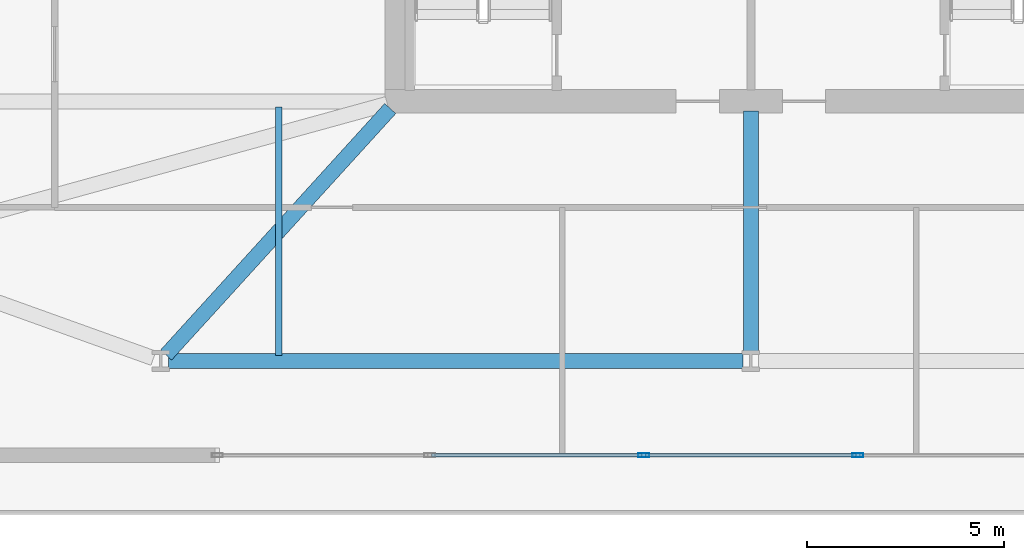
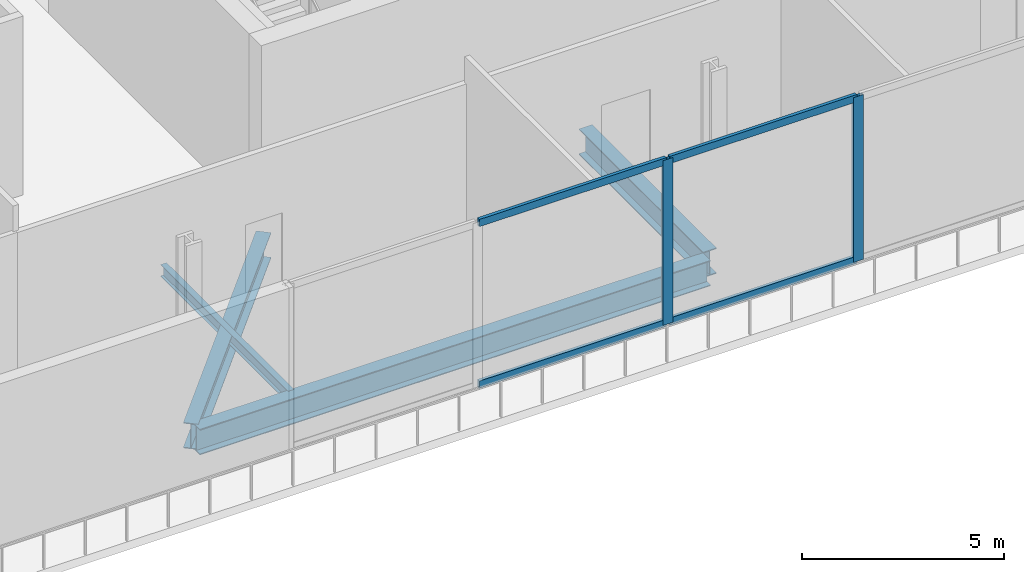
# One storey, part 3 of 16: 6 members, 4 beams, 1 element without a shape of its own.
"""IFC4 building model written with IfcOpenShell, lengths in metres."""

from ifc_helpers import new_model, si_unit, direction, frame, origin, origin_2d, place, context, subcontext, project, spatial, hollow_rectangle, i_section, extrude, material, material_profile, profile_set, type_object, element, aggregate, save


model = new_model("IFC4")

# Units and contexts
model_context = context("Model", 3, precision=1e-05, world=origin(), true_north=direction((0.0, 1.0)))
body_context = subcontext(model_context, "Body", "Model", "MODEL_VIEW")
ifc_project = project(units=[si_unit("LENGTHUNIT", "METRE"), si_unit("AREAUNIT", "SQUARE_METRE"), si_unit("VOLUMEUNIT", "CUBIC_METRE"), si_unit("PLANEANGLEUNIT", "RADIAN"), si_unit("MASSUNIT", "GRAM", prefix="KILO")], contexts=[model_context])

# Site, building, storey
site_placement = place(None, origin())
site = spatial("IfcSite", under=ifc_project, at=site_placement, CompositionType="ELEMENT")
building_placement = place(site_placement, origin())
building = spatial("IfcBuilding", under=site, at=building_placement, Name="Haldenkirk Collegiate Tower", CompositionType="ELEMENT")
storey_placement = place(building_placement, frame((0.0, 0.0, 16.800048828125)))
storey = spatial("IfcBuildingStorey", under=building, at=storey_placement, Name="L03", CompositionType="ELEMENT", Elevation=16.800048828125)

# Beams
ifc_material_1 = material(Name="Steel ASTM A992 Grade 50", Category="steel")
ifc_material_profile_1 = material_profile(ifc_material_1, i_section(OverallWidth=0.381103515625, OverallDepth=0.77294921875, WebThickness=0.0166015625, FlangeThickness=0.027099609375, at=origin_2d()), Name="W30X173")
ifc_profile_set_1 = profile_set([ifc_material_profile_1], Name="Steel ASTM A992 Grade 50")
beam_type_1 = type_object("IfcBeamType", Name="BM-GIRDER-W30X173", PredefinedType="BEAM", material=ifc_profile_set_1)
beam_1_placement = place(storey_placement, frame((21.199951171875, 11.39990234375, -0.716552734375), z_axis=(1.0, 0.0, 0.0), x_axis=(0.0, 1.0, 0.0)))
element("IfcBeam", 1, at=beam_1_placement, inside=storey, type_object=beam_type_1, Name="L03 podium ring girder 02", PredefinedType="BEAM", context=body_context, shape_type="SweptSolid", body=[
    extrude(i_section(OverallWidth=0.381103515625, OverallDepth=0.77294921875, WebThickness=0.0166015625, FlangeThickness=0.027099609375, at=origin_2d()), origin(), (0.0, 0.0, 1.0), 14.60009765625),
])
beam_2_placement = place(storey_placement, frame((36.0, 11.60009765625, -0.716552734375), z_axis=(0.0, 1.0, 0.0), x_axis=(-1.0, 0.0, 0.0)))
element("IfcBeam", 2, at=beam_2_placement, inside=storey, type_object=beam_type_1, Name="L03 podium radial girder 05", PredefinedType="BEAM", context=body_context, shape_type="SweptSolid", body=[
    extrude(i_section(OverallWidth=0.381103515625, OverallDepth=0.77294921875, WebThickness=0.0166015625, FlangeThickness=0.027099609375, at=origin_2d()), origin(), (0.0, 0.0, 1.0), 6.14990234375),
])
beam_3_placement = place(storey_placement, frame((21.134521484375, 11.548095703125, -0.716552734375), z_axis=(0.672681402593, 0.739932247307, 0.0), x_axis=(-0.739932247307, 0.672681402593, 0.0)))
element("IfcBeam", 3, at=beam_3_placement, inside=storey, type_object=beam_type_1, Name="L03 podium radial girder 07", PredefinedType="BEAM", context=body_context, shape_type="SweptSolid", body=[
    extrude(i_section(OverallWidth=0.381103515625, OverallDepth=0.77294921875, WebThickness=0.0166015625, FlangeThickness=0.027099609375, at=origin_2d()), origin(), (0.0, 0.0, 1.0), 8.469482421875),
])
ifc_material_profile_2 = material_profile(ifc_material_1, i_section(OverallWidth=0.1708984375, OverallDepth=0.35595703125, WebThickness=0.007080078125, FlangeThickness=0.01171875, at=origin_2d()), Name="W14X34")
ifc_profile_set_2 = profile_set([ifc_material_profile_2], Name="Steel ASTM A992 Grade 50")
beam_type_2 = type_object("IfcBeamType", Name="BM-JOIST-W14X34", PredefinedType="JOIST", material=ifc_profile_set_2)
beam_4_placement = place(storey_placement, frame((24.0, 11.5400390625, -0.508056640625), z_axis=(0.0, 1.0, 0.0), x_axis=(-1.0, 0.0, 0.0)))
element("IfcBeam", 4, at=beam_4_placement, inside=storey, type_object=beam_type_2, Name="L03 south bay floor joist 1", PredefinedType="JOIST", context=body_context, shape_type="SweptSolid", body=[
    extrude(i_section(OverallWidth=0.1708984375, OverallDepth=0.35595703125, WebThickness=0.007080078125, FlangeThickness=0.01171875, at=origin_2d()), origin(), (0.0, 0.0, 1.0), 6.320068359375),
])

# Curtain wall, members
ifc_material_2 = material(Name="Anodised architectural bronze aluminium", Category="aluminium")
curtain_wall_type = type_object("IfcCurtainWallType", Name="CW-SYS3-PODIUM", PredefinedType="USERDEFINED", material=ifc_material_2)
curtain_wall_placement = place(storey_placement, origin())
curtain_wall = element("IfcCurtainWall", 5, at=curtain_wall_placement, inside=storey, type_object=curtain_wall_type, Name="L03 Podium campus concourse and library storefront curtain wall", ObjectType="UNITISED CURTAIN WALL", PredefinedType="USERDEFINED")
ifc_material_profile_3 = material_profile(ifc_material_2, hollow_rectangle(XDim=0.094970703125, YDim=0.280029296875, WallThickness=0.0048828125, at=origin_2d()), Name="CW-MUL-03")
ifc_profile_set_3 = profile_set([ifc_material_profile_3], Name="Anodised architectural bronze aluminium")
member_type_1 = type_object("IfcMemberType", Name="CW-MUL-03", PredefinedType="MULLION", material=ifc_profile_set_3)
member_1_placement = place(storey_placement, frame((38.7216796875, 9.0, 0.0), z_axis=(0.0, 0.0, 1.0), x_axis=(0.0, -1.0, 0.0)))
member_1 = element("IfcMember", 6, at=member_1_placement, type_object=member_type_1, Name="CW-03 mullion 3", PredefinedType="MULLION", context=body_context, shape_type="SweptSolid", body=[
    extrude(hollow_rectangle(XDim=0.094970703125, YDim=0.280029296875, WallThickness=0.0048828125, at=origin_2d()), origin(), (0.0, 0.0, 1.0), 4.97998046875),
])
member_2_placement = place(storey_placement, frame((33.2783203125, 9.0, 0.0), z_axis=(0.0, 0.0, 1.0), x_axis=(0.0, -1.0, 0.0)))
member_2 = element("IfcMember", 7, at=member_2_placement, type_object=member_type_1, Name="CW-03 mullion 4", PredefinedType="MULLION", context=body_context, shape_type="SweptSolid", body=[
    extrude(hollow_rectangle(XDim=0.094970703125, YDim=0.280029296875, WallThickness=0.0048828125, at=origin_2d()), origin(), (0.0, 0.0, 1.0), 4.97998046875),
])
ifc_material_profile_4 = material_profile(ifc_material_2, hollow_rectangle(XDim=0.094970703125, YDim=0.219970703125, WallThickness=0.0048828125, at=origin_2d()), Name="CW-TRN-03")
ifc_profile_set_4 = profile_set([ifc_material_profile_4], Name="Anodised architectural bronze aluminium")
member_type_2 = type_object("IfcMemberType", Name="CW-TRN-03", PredefinedType="USERDEFINED", material=ifc_profile_set_4)
member_3_placement = place(storey_placement, frame((38.674072265625, 9.0, 0.04736328125), z_axis=(-1.0, 0.0, 0.0), x_axis=(0.0, -1.0, 0.0)))
member_3 = element("IfcMember", 8, at=member_3_placement, type_object=member_type_2, Name="CW-03 transom 3.1", ObjectType="TRANSOM", PredefinedType="USERDEFINED", context=body_context, shape_type="SweptSolid", body=[
    extrude(hollow_rectangle(XDim=0.094970703125, YDim=0.219970703125, WallThickness=0.0048828125, at=origin_2d()), origin(), (0.0, 0.0, 1.0), 5.34814453125),
])
member_4_placement = place(storey_placement, frame((38.674072265625, 9.0, 4.932373046875), z_axis=(-1.0, 0.0, 0.0), x_axis=(0.0, -1.0, 0.0)))
member_4 = element("IfcMember", 9, at=member_4_placement, type_object=member_type_2, Name="CW-03 transom 3.2", ObjectType="TRANSOM", PredefinedType="USERDEFINED", context=body_context, shape_type="SweptSolid", body=[
    extrude(hollow_rectangle(XDim=0.094970703125, YDim=0.219970703125, WallThickness=0.0048828125, at=origin_2d()), origin(), (0.0, 0.0, 1.0), 5.34814453125),
])
member_5_placement = place(storey_placement, frame((33.23095703125, 9.0, 0.04736328125), z_axis=(-1.0, 0.0, 0.0), x_axis=(0.0, -1.0, 0.0)))
member_5 = element("IfcMember", 10, at=member_5_placement, type_object=member_type_2, Name="CW-03 transom 4.1", ObjectType="TRANSOM", PredefinedType="USERDEFINED", context=body_context, shape_type="SweptSolid", body=[
    extrude(hollow_rectangle(XDim=0.094970703125, YDim=0.219970703125, WallThickness=0.0048828125, at=origin_2d()), origin(), (0.0, 0.0, 1.0), 5.34814453125),
])
member_6_placement = place(storey_placement, frame((33.23095703125, 9.0, 4.932373046875), z_axis=(-1.0, 0.0, 0.0), x_axis=(0.0, -1.0, 0.0)))
member_6 = element("IfcMember", 11, at=member_6_placement, type_object=member_type_2, Name="CW-03 transom 4.2", ObjectType="TRANSOM", PredefinedType="USERDEFINED", context=body_context, shape_type="SweptSolid", body=[
    extrude(hollow_rectangle(XDim=0.094970703125, YDim=0.219970703125, WallThickness=0.0048828125, at=origin_2d()), origin(), (0.0, 0.0, 1.0), 5.34814453125),
])
aggregate(curtain_wall, [member_1, member_2, member_3, member_4, member_5, member_6])

save(model, "model.ifc")
